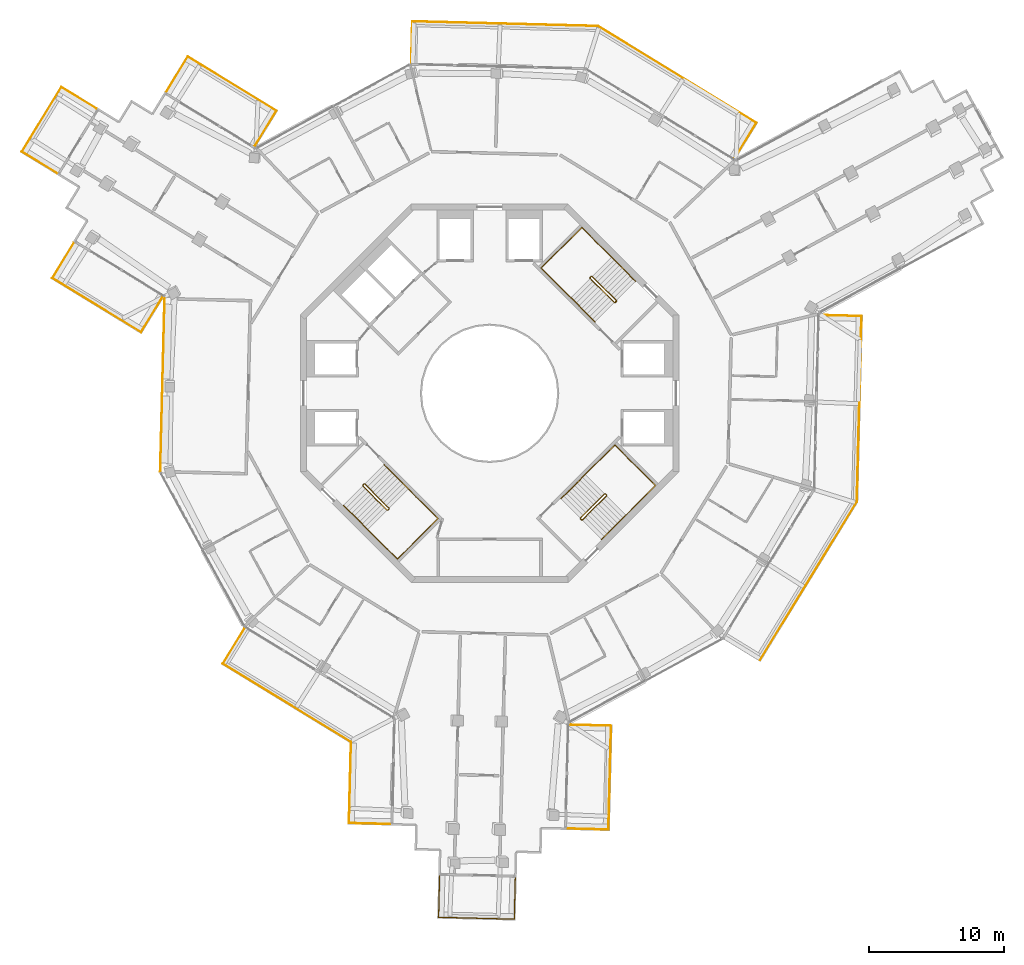
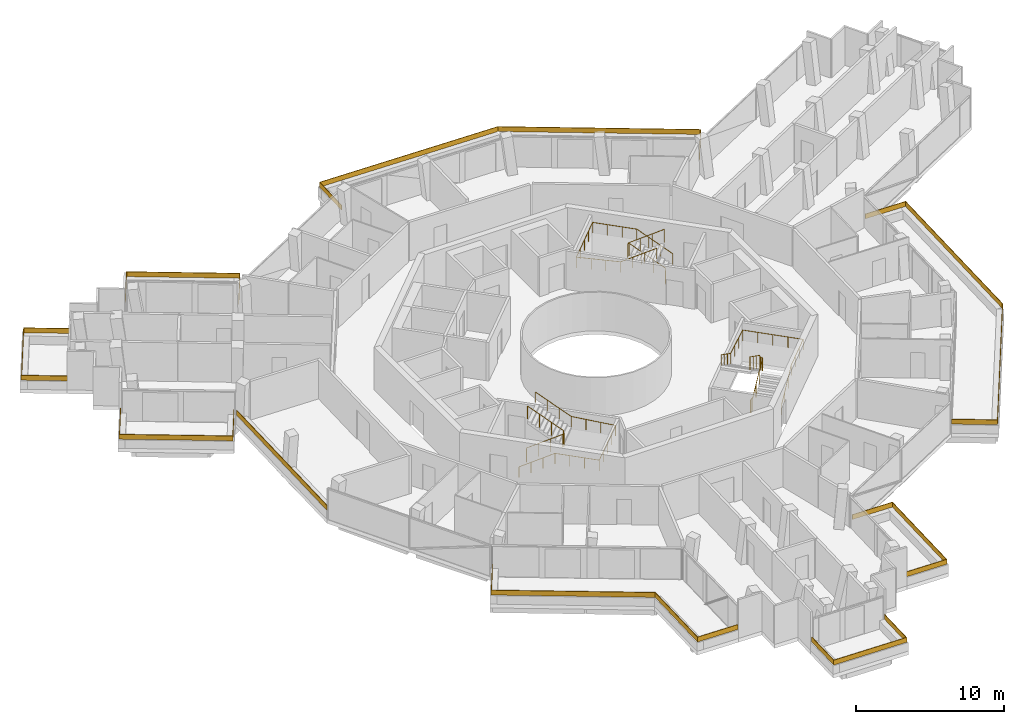
# One storey, part 24 of 24: 15 railings.
"""IFC4 building model written with IfcOpenShell, lengths in metres."""

from ifc_helpers import new_model, si_unit, direction, frame, origin, origin_2d, place, context, subcontext, project, spatial, polyline, rectangle, circle, outline, extrude, material, layer, layer_set, type_object, element, save


model = new_model("IFC4")

# Units and contexts
model_context = context("Model", 3, precision=1e-05, world=origin(), true_north=direction((0.0, 1.0)))
body_context = subcontext(model_context, "Body", "Model", "MODEL_VIEW")
ifc_project = project(units=[si_unit("LENGTHUNIT", "METRE"), si_unit("AREAUNIT", "SQUARE_METRE"), si_unit("VOLUMEUNIT", "CUBIC_METRE"), si_unit("PLANEANGLEUNIT", "RADIAN"), si_unit("MASSUNIT", "GRAM", prefix="KILO")], contexts=[model_context])

# Site, building, storey
site_placement = place(None, origin())
site = spatial("IfcSite", under=ifc_project, at=site_placement, CompositionType="ELEMENT")
building_placement = place(site_placement, origin())
building = spatial("IfcBuilding", under=site, at=building_placement, Name="Verdalira Terraces Hotel", CompositionType="ELEMENT")
storey_placement = place(building_placement, frame((0.0, 0.0, 274.0)))
storey = spatial("IfcBuildingStorey", under=building, at=storey_placement, Name="L67", CompositionType="ELEMENT", Elevation=274.0)

# Railings
ifc_material_1 = material(Name="Laminated glass", Category="glass")
ifc_layer = layer(ifc_material_1, 0.0400390625)
ifc_layer_set = layer_set([ifc_layer], Name="Balcony glass guard 400")
railing_type_1 = type_object("IfcRailingType", Name="Balcony glass guard 400", PredefinedType="GUARDRAIL", material=ifc_layer_set)
railing_1_placement = place(storey_placement, frame((0.0, 0.0, 0.699951)))
element("IfcRailing", 1, at=railing_1_placement, inside=storey, type_object=railing_type_1, Name="Balcony glass guard", PredefinedType="GUARDRAIL", context=body_context, shape_type="SweptSolid", body=[
    extrude(outline(polyline([(-31.671387, 22.621094), (-34.571533, 17.877441), (-31.94458, 16.27124), (-31.965576, 16.237305), (-34.626465, 17.864014), (-31.684814, 22.676025), (-29.023682, 21.049072), (-29.044434, 21.015137), (-31.671387, 22.621094)])), origin(), (0.0, 0.0, 1.0), 0.400146),
])
railing_2_placement = place(storey_placement, frame((0.0, 0.0, 0.699951)))
element("IfcRailing", 2, at=railing_2_placement, inside=storey, type_object=railing_type_1, Name="Balcony glass guard", PredefinedType="GUARDRAIL", context=body_context, shape_type="SweptSolid", body=[
    extrude(outline(polyline([(-32.316895, 8.528809), (-25.796143, 4.542236), (-24.190186, 7.169189), (-24.156006, 7.148438), (-25.782959, 4.487305), (-32.371826, 8.515381), (-30.744873, 11.176514), (-30.710693, 11.155762), (-32.316895, 8.528809)])), origin(), (0.0, 0.0, 1.0), 0.400146),
])
railing_3_placement = place(storey_placement, frame((0.0, 0.0, 0.699951)))
element("IfcRailing", 3, at=railing_3_placement, inside=storey, type_object=railing_type_1, Name="Balcony glass guard", PredefinedType="GUARDRAIL", context=body_context, shape_type="SweptSolid", body=[
    extrude(outline(polyline([(-19.703125, -19.996826), (-10.231201, -25.787598), (-10.381592, -31.77002), (-7.303711, -31.847412), (-7.304688, -31.887451), (-10.422607, -31.809082), (-10.271729, -25.80957), (-19.758057, -20.01001), (-18.131348, -17.349121), (-18.097168, -17.369873), (-19.703125, -19.996826)])), origin(), (0.0, 0.0, 1.0), 0.400146),
])
railing_4_placement = place(storey_placement, frame((0.0, 0.0, 0.699951)))
element("IfcRailing", 4, at=railing_4_placement, inside=storey, type_object=railing_type_1, Name="Balcony glass guard", PredefinedType="GUARDRAIL", context=body_context, shape_type="SweptSolid", body=[
    extrude(outline(polyline([(-3.754639, -38.73877), (1.803467, -38.878662), (1.880859, -35.800537), (1.920898, -35.801514), (1.842529, -38.919434), (-3.795654, -38.777832), (-3.717285, -35.659668), (-3.677246, -35.660889), (-3.754639, -38.73877)])), origin(), (0.0, 0.0, 1.0), 0.400146),
])
railing_5_placement = place(storey_placement, frame((0.0, 0.0, 0.699951)))
element("IfcRailing", 5, at=railing_5_placement, inside=storey, type_object=railing_type_1, Name="Balcony glass guard", PredefinedType="GUARDRAIL", context=body_context, shape_type="SweptSolid", body=[
    extrude(outline(polyline([(8.772217, -32.251465), (8.964355, -24.611328), (5.88623, -24.533936), (5.887207, -24.493896), (9.005371, -24.57251), (8.811279, -32.29248), (5.693359, -32.214111), (5.694336, -32.174316), (8.772217, -32.251465)])), origin(), (0.0, 0.0, 1.0), 0.400146),
])
railing_6_placement = place(storey_placement, frame((0.0, 0.0, 0.699951)))
element("IfcRailing", 6, at=railing_6_placement, inside=storey, type_object=railing_type_1, Name="Balcony glass guard", PredefinedType="GUARDRAIL", context=body_context, shape_type="SweptSolid", body=[
    extrude(outline(polyline([(19.996826, -19.703125), (27.145508, -8.01001), (27.48999, 5.690918), (24.412109, 5.768311), (24.413086, 5.80835), (27.531006, 5.72998), (27.185303, -8.021729), (20.01001, -19.758057), (17.349121, -18.131348), (17.369873, -18.097168), (19.996826, -19.703125)])), origin(), (0.0, 0.0, 1.0), 0.400146),
])
railing_7_placement = place(storey_placement, frame((0.0, 0.0, 0.699951)))
element("IfcRailing", 7, at=railing_7_placement, inside=storey, type_object=railing_type_1, Name="Balcony glass guard", PredefinedType="GUARDRAIL", context=body_context, shape_type="SweptSolid", body=[
    extrude(outline(polyline([(19.703125, 19.996826), (8.01001, 27.145508), (-5.690918, 27.48999), (-5.768311, 24.412109), (-5.80835, 24.413086), (-5.72998, 27.531006), (8.021729, 27.185303), (19.758057, 20.01001), (18.131348, 17.349121), (18.097168, 17.369873), (19.703125, 19.996826)])), origin(), (0.0, 0.0, 1.0), 0.400146),
])
railing_8_placement = place(storey_placement, frame((0.0, 0.0, 0.699951)))
element("IfcRailing", 8, at=railing_8_placement, inside=storey, type_object=railing_type_1, Name="Balcony glass guard", PredefinedType="GUARDRAIL", context=body_context, shape_type="SweptSolid", body=[
    extrude(outline(polyline([(-15.802246, 20.889404), (-22.322754, 24.875732), (-23.928955, 22.248779), (-23.963135, 22.269775), (-22.336182, 24.930908), (-15.747314, 20.902588), (-17.374268, 18.241455), (-17.408203, 18.262451), (-15.802246, 20.889404)])), origin(), (0.0, 0.0, 1.0), 0.400146),
])
railing_9_placement = place(storey_placement, frame((-24.200684, 0.608398, 0.699951), z_axis=(0.0, 0.0, 1.0), x_axis=(-0.025130095, -0.999684189, 0.0)))
element("IfcRailing", 9, at=railing_9_placement, inside=storey, type_object=railing_type_1, Name="Loggia glass guard", PredefinedType="GUARDRAIL", context=body_context, shape_type="SweptSolid", body=[
    extrude(rectangle(XDim=12.840088, YDim=0.040039, at=origin_2d()), origin(), (0.0, 0.0, 1.0), 0.399902),
])
ifc_material_2 = material(Name="Stainless steel", Category="steel")
railing_type_2 = type_object("IfcRailingType", Name="Stair guard 1100", PredefinedType="GUARDRAIL", material=ifc_material_2)
railing_10_placement = place(storey_placement, frame((9.369141, 6.78833, 0.0)))
element("IfcRailing", 10, at=railing_10_placement, inside=storey, type_object=railing_type_2, Name="L67 ST1 stair guard 1", PredefinedType="GUARDRAIL", context=body_context, shape_type="SweptSolid", body=[
    extrude(circle(Radius=0.023926, at=origin_2d()), frame((0.0, 0.0, 1.076172), z_axis=(-0.707106781, -0.707106781, 0.0), x_axis=(0.707106781, -0.707106781, 0.0)), (0.0, 0.0, 1.0), 0.100098),
    extrude(circle(Radius=0.023926, at=origin_2d()), frame((-0.070801, -0.070801, 1.076172), z_axis=(0.300162975, 0.599290904, 0.742127078), x_axis=(-0.894118129, 0.447831187, 0.0)), (0.0, 0.0, 1.0), 0.23584),
    extrude(circle(Radius=0.023926, at=origin_2d()), frame((0.0, 0.070557, 1.250977), z_axis=(-0.599637504, 0.599637504, 0.52997144), x_axis=(-0.707106781, -0.707106781, 0.0)), (0.0, 0.0, 1.0), 2.97168),
    extrude(circle(Radius=0.023926, at=origin_2d()), frame((-1.781982, 1.852539, 2.826172), z_axis=(-1.0, 0.0, 0.0), x_axis=(0.0, -1.0, 0.0)), (0.0, 0.0, 1.0), 0.070557),
    extrude(circle(Radius=0.023926, at=origin_2d()), frame((-1.852539, 1.852539, 2.826172), z_axis=(-0.707106781, -0.707106781, 0.0), x_axis=(0.707106781, -0.707106781, 0.0)), (0.0, 0.0, 1.0), 0.100098),
    extrude(circle(Radius=0.023926, at=origin_2d()), frame((-1.92334, 1.781738, 2.826172), z_axis=(0.0, -0.373842709, 0.927492118), x_axis=(1.0, 0.0, 0.0)), (0.0, 0.0, 1.0), 0.188721),
    extrude(circle(Radius=0.023926, at=origin_2d()), frame((-1.92334, 1.711182, 3.000977), z_axis=(0.599637504, -0.599637504, 0.52997144), x_axis=(0.707106781, 0.707106781, 0.0)), (0.0, 0.0, 1.0), 2.97168),
    extrude(circle(Radius=0.020996, at=origin_2d()), origin(), (0.0, 0.0, 1.0), 1.052002),
    extrude(circle(Radius=0.020996, at=origin_2d()), frame((-0.070801, -0.070801, 0.0)), (0.0, 0.0, 1.0), 1.052002),
    extrude(circle(Radius=0.020996, at=origin_2d()), frame((0.0, 0.070557, 0.175049)), (0.0, 0.0, 1.0), 1.052002),
    extrude(circle(Radius=0.020996, at=origin_2d()), frame((-0.593994, 0.664551, 0.699951)), (0.0, 0.0, 1.0), 1.052002),
    extrude(circle(Radius=0.020996, at=origin_2d()), frame((-1.187988, 1.258545, 1.225098)), (0.0, 0.0, 1.0), 1.052002),
    extrude(circle(Radius=0.020996, at=origin_2d()), frame((-1.781982, 1.852539, 1.75)), (0.0, 0.0, 1.0), 1.052002),
    extrude(circle(Radius=0.020996, at=origin_2d()), frame((-1.852539, 1.852539, 1.75)), (0.0, 0.0, 1.0), 1.052002),
    extrude(circle(Radius=0.020996, at=origin_2d()), frame((-1.92334, 1.781738, 1.75)), (0.0, 0.0, 1.0), 1.052002),
    extrude(circle(Radius=0.020996, at=origin_2d()), frame((-1.92334, 1.711182, 1.925049)), (0.0, 0.0, 1.0), 1.052002),
    extrude(circle(Radius=0.020996, at=origin_2d()), frame((-1.329346, 1.117188, 2.449951)), (0.0, 0.0, 1.0), 1.052002),
    extrude(circle(Radius=0.020996, at=origin_2d()), frame((-0.735352, 0.523193, 2.975098)), (0.0, 0.0, 1.0), 1.052002),
    extrude(circle(Radius=0.020996, at=origin_2d()), frame((-0.141357, -0.070801, 3.5)), (0.0, 0.0, 1.0), 1.052002),
])
railing_11_placement = place(storey_placement, frame((-9.369141, -6.78833, 0.0)))
element("IfcRailing", 11, at=railing_11_placement, inside=storey, type_object=railing_type_2, Name="L67 ST2 stair guard 1", PredefinedType="GUARDRAIL", context=body_context, shape_type="SweptSolid", body=[
    extrude(circle(Radius=0.023926, at=origin_2d()), frame((0.0, 0.0, 1.076172), z_axis=(0.707106781, 0.707106781, 0.0), x_axis=(-0.707106781, 0.707106781, 0.0)), (0.0, 0.0, 1.0), 0.100098),
    extrude(circle(Radius=0.023926, at=origin_2d()), frame((0.070801, 0.070801, 1.076172), z_axis=(-0.300162975, -0.599290904, 0.742127078), x_axis=(0.894118129, -0.447831187, 0.0)), (0.0, 0.0, 1.0), 0.23584),
    extrude(circle(Radius=0.023926, at=origin_2d()), frame((0.0, -0.070557, 1.250977), z_axis=(0.599637504, -0.599637504, 0.52997144), x_axis=(0.707106781, 0.707106781, 0.0)), (0.0, 0.0, 1.0), 2.97168),
    extrude(circle(Radius=0.023926, at=origin_2d()), frame((1.781982, -1.852539, 2.826172), z_axis=(1.0, 0.0, 0.0), x_axis=(0.0, 1.0, 0.0)), (0.0, 0.0, 1.0), 0.070557),
    extrude(circle(Radius=0.023926, at=origin_2d()), frame((1.852539, -1.852539, 2.826172), z_axis=(0.707106781, 0.707106781, 0.0), x_axis=(-0.707106781, 0.707106781, 0.0)), (0.0, 0.0, 1.0), 0.100098),
    extrude(circle(Radius=0.023926, at=origin_2d()), frame((1.92334, -1.781738, 2.826172), z_axis=(0.0, 0.373842709, 0.927492118), x_axis=(-1.0, 0.0, 0.0)), (0.0, 0.0, 1.0), 0.188721),
    extrude(circle(Radius=0.023926, at=origin_2d()), frame((1.92334, -1.711182, 3.000977), z_axis=(-0.599637504, 0.599637504, 0.52997144), x_axis=(-0.707106781, -0.707106781, 0.0)), (0.0, 0.0, 1.0), 2.97168),
    extrude(circle(Radius=0.020996, at=origin_2d()), origin(), (0.0, 0.0, 1.0), 1.052002),
    extrude(circle(Radius=0.020996, at=origin_2d()), frame((0.070801, 0.070801, 0.0)), (0.0, 0.0, 1.0), 1.052002),
    extrude(circle(Radius=0.020996, at=origin_2d()), frame((0.0, -0.070557, 0.175049)), (0.0, 0.0, 1.0), 1.052002),
    extrude(circle(Radius=0.020996, at=origin_2d()), frame((0.593994, -0.664551, 0.699951)), (0.0, 0.0, 1.0), 1.052002),
    extrude(circle(Radius=0.020996, at=origin_2d()), frame((1.187988, -1.258545, 1.225098)), (0.0, 0.0, 1.0), 1.052002),
    extrude(circle(Radius=0.020996, at=origin_2d()), frame((1.781982, -1.852539, 1.75)), (0.0, 0.0, 1.0), 1.052002),
    extrude(circle(Radius=0.020996, at=origin_2d()), frame((1.852539, -1.852539, 1.75)), (0.0, 0.0, 1.0), 1.052002),
    extrude(circle(Radius=0.020996, at=origin_2d()), frame((1.92334, -1.781738, 1.75)), (0.0, 0.0, 1.0), 1.052002),
    extrude(circle(Radius=0.020996, at=origin_2d()), frame((1.92334, -1.711182, 1.925049)), (0.0, 0.0, 1.0), 1.052002),
    extrude(circle(Radius=0.020996, at=origin_2d()), frame((1.329346, -1.117188, 2.449951)), (0.0, 0.0, 1.0), 1.052002),
    extrude(circle(Radius=0.020996, at=origin_2d()), frame((0.735352, -0.523193, 2.975098)), (0.0, 0.0, 1.0), 1.052002),
    extrude(circle(Radius=0.020996, at=origin_2d()), frame((0.141357, 0.070801, 3.5)), (0.0, 0.0, 1.0), 1.052002),
])
railing_12_placement = place(storey_placement, frame((6.78833, -9.369141, 0.0)))
element("IfcRailing", 12, at=railing_12_placement, inside=storey, type_object=railing_type_2, Name="L67 ST3 stair guard 1", PredefinedType="GUARDRAIL", context=body_context, shape_type="SweptSolid", body=[
    extrude(circle(Radius=0.023926, at=origin_2d()), frame((0.0, 0.0, 1.076172), z_axis=(-0.707106781, 0.707106781, 0.0), x_axis=(-0.707106781, -0.707106781, 0.0)), (0.0, 0.0, 1.0), 0.100098),
    extrude(circle(Radius=0.023926, at=origin_2d()), frame((-0.070801, 0.070801, 1.076172), z_axis=(0.599290904, -0.300162975, 0.742127078), x_axis=(0.447831187, 0.894118129, 0.0)), (0.0, 0.0, 1.0), 0.23584),
    extrude(circle(Radius=0.023926, at=origin_2d()), frame((0.070557, 0.0, 1.250977), z_axis=(0.599637504, 0.599637504, 0.52997144), x_axis=(-0.707106781, 0.707106781, 0.0)), (0.0, 0.0, 1.0), 2.97168),
    extrude(circle(Radius=0.023926, at=origin_2d()), frame((1.852539, 1.781982, 2.826172), z_axis=(0.0, 1.0, 0.0), x_axis=(-1.0, 0.0, 0.0)), (0.0, 0.0, 1.0), 0.070557),
    extrude(circle(Radius=0.023926, at=origin_2d()), frame((1.852539, 1.852539, 2.826172), z_axis=(-0.707106781, 0.707106781, 0.0), x_axis=(-0.707106781, -0.707106781, 0.0)), (0.0, 0.0, 1.0), 0.100098),
    extrude(circle(Radius=0.023926, at=origin_2d()), frame((1.781738, 1.92334, 2.826172), z_axis=(-0.373842709, 0.0, 0.927492118), x_axis=(0.0, -1.0, 0.0)), (0.0, 0.0, 1.0), 0.188721),
    extrude(circle(Radius=0.023926, at=origin_2d()), frame((1.711182, 1.92334, 3.000977), z_axis=(-0.599637504, -0.599637504, 0.52997144), x_axis=(0.707106781, -0.707106781, 0.0)), (0.0, 0.0, 1.0), 2.97168),
    extrude(circle(Radius=0.020996, at=origin_2d()), origin(), (0.0, 0.0, 1.0), 1.052002),
    extrude(circle(Radius=0.020996, at=origin_2d()), frame((-0.070801, 0.070801, 0.0)), (0.0, 0.0, 1.0), 1.052002),
    extrude(circle(Radius=0.020996, at=origin_2d()), frame((0.070557, 0.0, 0.175049)), (0.0, 0.0, 1.0), 1.052002),
    extrude(circle(Radius=0.020996, at=origin_2d()), frame((0.664551, 0.593994, 0.699951)), (0.0, 0.0, 1.0), 1.052002),
    extrude(circle(Radius=0.020996, at=origin_2d()), frame((1.258545, 1.187988, 1.225098)), (0.0, 0.0, 1.0), 1.052002),
    extrude(circle(Radius=0.020996, at=origin_2d()), frame((1.852539, 1.781982, 1.75)), (0.0, 0.0, 1.0), 1.052002),
    extrude(circle(Radius=0.020996, at=origin_2d()), frame((1.852539, 1.852539, 1.75)), (0.0, 0.0, 1.0), 1.052002),
    extrude(circle(Radius=0.020996, at=origin_2d()), frame((1.781738, 1.92334, 1.75)), (0.0, 0.0, 1.0), 1.052002),
    extrude(circle(Radius=0.020996, at=origin_2d()), frame((1.711182, 1.92334, 1.925049)), (0.0, 0.0, 1.0), 1.052002),
    extrude(circle(Radius=0.020996, at=origin_2d()), frame((1.117188, 1.329346, 2.449951)), (0.0, 0.0, 1.0), 1.052002),
    extrude(circle(Radius=0.020996, at=origin_2d()), frame((0.523193, 0.735352, 2.975098)), (0.0, 0.0, 1.0), 1.052002),
    extrude(circle(Radius=0.020996, at=origin_2d()), frame((-0.070801, 0.141357, 3.5)), (0.0, 0.0, 1.0), 1.052002),
])
ifc_material_3 = material(Name="Stainless steel", Category="steel")
railing_type_3 = type_object("IfcRailingType", Name="Stair handrail 900", PredefinedType="HANDRAIL", material=ifc_material_3)
railing_13_placement = place(storey_placement, frame((10.801025, 8.290771, 0.175049)))
element("IfcRailing", 13, at=railing_13_placement, inside=storey, type_object=railing_type_3, Name="L67 ST1 stair handrail 1", PredefinedType="HANDRAIL", context=body_context, shape_type="SweptSolid", body=[
    extrude(circle(Radius=0.023926, at=origin_2d()), frame((0.0, 0.0, 0.875977), z_axis=(-0.599637504, 0.599637504, 0.52997144), x_axis=(-0.707106781, -0.707106781, 0.0)), (0.0, 0.0, 1.0), 2.97168),
    extrude(circle(Radius=0.023926, at=origin_2d()), frame((-1.781982, 1.781982, 2.450684), z_axis=(-0.707106781, 0.707106781, 0.0), x_axis=(-0.707106781, -0.707106781, 0.0)), (0.0, 0.0, 1.0), 3.10498),
    extrude(circle(Radius=0.023926, at=origin_2d()), frame((-3.977539, 3.977539, 2.450684), z_axis=(-0.707106781, -0.707106781, 0.0), x_axis=(0.707106781, -0.707106781, 0.0)), (0.0, 0.0, 1.0), 4.25),
    extrude(circle(Radius=0.023926, at=origin_2d()), frame((-6.982666, 0.972412, 2.450684), z_axis=(0.705985743, -0.705985743, 0.05628731), x_axis=(0.707106781, 0.707106781, 0.0)), (0.0, 0.0, 1.0), 3.109863),
    extrude(circle(Radius=0.023926, at=origin_2d()), frame((-4.787109, -1.223145, 2.625977), z_axis=(0.599637504, -0.599637504, 0.52997144), x_axis=(0.707106781, 0.707106781, 0.0)), (0.0, 0.0, 1.0), 2.97168),
    extrude(circle(Radius=0.020996, at=origin_2d()), origin(), (0.0, 0.0, 1.0), 0.851807),
    extrude(circle(Radius=0.020996, at=origin_2d()), frame((-0.593994, 0.593994, 0.524902)), (0.0, 0.0, 1.0), 0.851807),
    extrude(circle(Radius=0.020996, at=origin_2d()), frame((-1.187988, 1.187988, 1.050049)), (0.0, 0.0, 1.0), 0.851807),
    extrude(circle(Radius=0.020996, at=origin_2d()), frame((-1.781982, 1.781982, 1.574951)), (0.0, 0.0, 1.0), 0.851807),
    extrude(circle(Radius=0.020996, at=origin_2d()), frame((-2.513916, 2.513916, 1.574951)), (0.0, 0.0, 1.0), 0.851807),
    extrude(circle(Radius=0.020996, at=origin_2d()), frame((-3.245605, 3.245605, 1.574951)), (0.0, 0.0, 1.0), 0.851807),
    extrude(circle(Radius=0.020996, at=origin_2d()), frame((-3.977539, 3.977539, 1.574951)), (0.0, 0.0, 1.0), 0.851807),
    extrude(circle(Radius=0.020996, at=origin_2d()), frame((-4.72876, 3.226318, 1.574951)), (0.0, 0.0, 1.0), 0.851807),
    extrude(circle(Radius=0.020996, at=origin_2d()), frame((-5.47998, 2.475098, 1.574951)), (0.0, 0.0, 1.0), 0.851807),
    extrude(circle(Radius=0.020996, at=origin_2d()), frame((-6.231445, 1.723633, 1.574951)), (0.0, 0.0, 1.0), 0.851807),
    extrude(circle(Radius=0.020996, at=origin_2d()), frame((-6.982666, 0.972412, 1.574951)), (0.0, 0.0, 1.0), 0.851807),
    extrude(circle(Radius=0.020996, at=origin_2d()), frame((-6.250732, 0.240479, 1.633301)), (0.0, 0.0, 1.0), 0.851807),
    extrude(circle(Radius=0.020996, at=origin_2d()), frame((-5.519043, -0.491211, 1.69165)), (0.0, 0.0, 1.0), 0.851807),
    extrude(circle(Radius=0.020996, at=origin_2d()), frame((-4.787109, -1.223145, 1.75)), (0.0, 0.0, 1.0), 0.851807),
    extrude(circle(Radius=0.020996, at=origin_2d()), frame((-4.193115, -1.817139, 2.274902)), (0.0, 0.0, 1.0), 0.851807),
    extrude(circle(Radius=0.020996, at=origin_2d()), frame((-3.599121, -2.411133, 2.800049)), (0.0, 0.0, 1.0), 0.851807),
    extrude(circle(Radius=0.020996, at=origin_2d()), frame((-3.005127, -3.005127, 3.324951)), (0.0, 0.0, 1.0), 0.851807),
])
railing_14_placement = place(storey_placement, frame((-10.801025, -8.290771, 0.175049)))
element("IfcRailing", 14, at=railing_14_placement, inside=storey, type_object=railing_type_3, Name="L67 ST2 stair handrail 1", PredefinedType="HANDRAIL", context=body_context, shape_type="SweptSolid", body=[
    extrude(circle(Radius=0.023926, at=origin_2d()), frame((0.0, 0.0, 0.875977), z_axis=(0.599637504, -0.599637504, 0.52997144), x_axis=(0.707106781, 0.707106781, 0.0)), (0.0, 0.0, 1.0), 2.97168),
    extrude(circle(Radius=0.023926, at=origin_2d()), frame((1.781982, -1.781982, 2.450684), z_axis=(0.707106781, -0.707106781, 0.0), x_axis=(0.707106781, 0.707106781, 0.0)), (0.0, 0.0, 1.0), 3.10498),
    extrude(circle(Radius=0.023926, at=origin_2d()), frame((3.977539, -3.977539, 2.450684), z_axis=(0.707106781, 0.707106781, 0.0), x_axis=(-0.707106781, 0.707106781, 0.0)), (0.0, 0.0, 1.0), 4.25),
    extrude(circle(Radius=0.023926, at=origin_2d()), frame((6.982666, -0.972412, 2.450684), z_axis=(-0.705985743, 0.705985743, 0.05628731), x_axis=(-0.707106781, -0.707106781, 0.0)), (0.0, 0.0, 1.0), 3.109863),
    extrude(circle(Radius=0.023926, at=origin_2d()), frame((4.787109, 1.223145, 2.625977), z_axis=(-0.599637504, 0.599637504, 0.52997144), x_axis=(-0.707106781, -0.707106781, 0.0)), (0.0, 0.0, 1.0), 2.97168),
    extrude(circle(Radius=0.020996, at=origin_2d()), origin(), (0.0, 0.0, 1.0), 0.851807),
    extrude(circle(Radius=0.020996, at=origin_2d()), frame((0.593994, -0.593994, 0.524902)), (0.0, 0.0, 1.0), 0.851807),
    extrude(circle(Radius=0.020996, at=origin_2d()), frame((1.187988, -1.187988, 1.050049)), (0.0, 0.0, 1.0), 0.851807),
    extrude(circle(Radius=0.020996, at=origin_2d()), frame((1.781982, -1.781982, 1.574951)), (0.0, 0.0, 1.0), 0.851807),
    extrude(circle(Radius=0.020996, at=origin_2d()), frame((2.513916, -2.513916, 1.574951)), (0.0, 0.0, 1.0), 0.851807),
    extrude(circle(Radius=0.020996, at=origin_2d()), frame((3.245605, -3.245605, 1.574951)), (0.0, 0.0, 1.0), 0.851807),
    extrude(circle(Radius=0.020996, at=origin_2d()), frame((3.977539, -3.977539, 1.574951)), (0.0, 0.0, 1.0), 0.851807),
    extrude(circle(Radius=0.020996, at=origin_2d()), frame((4.72876, -3.226318, 1.574951)), (0.0, 0.0, 1.0), 0.851807),
    extrude(circle(Radius=0.020996, at=origin_2d()), frame((5.47998, -2.475098, 1.574951)), (0.0, 0.0, 1.0), 0.851807),
    extrude(circle(Radius=0.020996, at=origin_2d()), frame((6.231445, -1.723633, 1.574951)), (0.0, 0.0, 1.0), 0.851807),
    extrude(circle(Radius=0.020996, at=origin_2d()), frame((6.982666, -0.972412, 1.574951)), (0.0, 0.0, 1.0), 0.851807),
    extrude(circle(Radius=0.020996, at=origin_2d()), frame((6.250732, -0.240479, 1.633301)), (0.0, 0.0, 1.0), 0.851807),
    extrude(circle(Radius=0.020996, at=origin_2d()), frame((5.519043, 0.491211, 1.69165)), (0.0, 0.0, 1.0), 0.851807),
    extrude(circle(Radius=0.020996, at=origin_2d()), frame((4.787109, 1.223145, 1.75)), (0.0, 0.0, 1.0), 0.851807),
    extrude(circle(Radius=0.020996, at=origin_2d()), frame((4.193115, 1.817139, 2.274902)), (0.0, 0.0, 1.0), 0.851807),
    extrude(circle(Radius=0.020996, at=origin_2d()), frame((3.599121, 2.411133, 2.800049)), (0.0, 0.0, 1.0), 0.851807),
    extrude(circle(Radius=0.020996, at=origin_2d()), frame((3.005127, 3.005127, 3.324951)), (0.0, 0.0, 1.0), 0.851807),
])
railing_15_placement = place(storey_placement, frame((8.290771, -10.801025, 0.175049)))
element("IfcRailing", 15, at=railing_15_placement, inside=storey, type_object=railing_type_3, Name="L67 ST3 stair handrail 1", PredefinedType="HANDRAIL", context=body_context, shape_type="SweptSolid", body=[
    extrude(circle(Radius=0.023926, at=origin_2d()), frame((0.0, 0.0, 0.875977), z_axis=(0.599637504, 0.599637504, 0.52997144), x_axis=(-0.707106781, 0.707106781, 0.0)), (0.0, 0.0, 1.0), 2.97168),
    extrude(circle(Radius=0.023926, at=origin_2d()), frame((1.781982, 1.781982, 2.450684), z_axis=(0.707106781, 0.707106781, 0.0), x_axis=(-0.707106781, 0.707106781, 0.0)), (0.0, 0.0, 1.0), 3.10498),
    extrude(circle(Radius=0.023926, at=origin_2d()), frame((3.977539, 3.977539, 2.450684), z_axis=(-0.707106781, 0.707106781, 0.0), x_axis=(-0.707106781, -0.707106781, 0.0)), (0.0, 0.0, 1.0), 4.25),
    extrude(circle(Radius=0.023926, at=origin_2d()), frame((0.972412, 6.982666, 2.450684), z_axis=(-0.705985743, -0.705985743, 0.05628731), x_axis=(0.707106781, -0.707106781, 0.0)), (0.0, 0.0, 1.0), 3.109863),
    extrude(circle(Radius=0.023926, at=origin_2d()), frame((-1.223145, 4.787109, 2.625977), z_axis=(-0.599637504, -0.599637504, 0.52997144), x_axis=(0.707106781, -0.707106781, 0.0)), (0.0, 0.0, 1.0), 2.97168),
    extrude(circle(Radius=0.020996, at=origin_2d()), origin(), (0.0, 0.0, 1.0), 0.851807),
    extrude(circle(Radius=0.020996, at=origin_2d()), frame((0.593994, 0.593994, 0.524902)), (0.0, 0.0, 1.0), 0.851807),
    extrude(circle(Radius=0.020996, at=origin_2d()), frame((1.187988, 1.187988, 1.050049)), (0.0, 0.0, 1.0), 0.851807),
    extrude(circle(Radius=0.020996, at=origin_2d()), frame((1.781982, 1.781982, 1.574951)), (0.0, 0.0, 1.0), 0.851807),
    extrude(circle(Radius=0.020996, at=origin_2d()), frame((2.513916, 2.513916, 1.574951)), (0.0, 0.0, 1.0), 0.851807),
    extrude(circle(Radius=0.020996, at=origin_2d()), frame((3.245605, 3.245605, 1.574951)), (0.0, 0.0, 1.0), 0.851807),
    extrude(circle(Radius=0.020996, at=origin_2d()), frame((3.977539, 3.977539, 1.574951)), (0.0, 0.0, 1.0), 0.851807),
    extrude(circle(Radius=0.020996, at=origin_2d()), frame((3.226318, 4.72876, 1.574951)), (0.0, 0.0, 1.0), 0.851807),
    extrude(circle(Radius=0.020996, at=origin_2d()), frame((2.475098, 5.47998, 1.574951)), (0.0, 0.0, 1.0), 0.851807),
    extrude(circle(Radius=0.020996, at=origin_2d()), frame((1.723633, 6.231445, 1.574951)), (0.0, 0.0, 1.0), 0.851807),
    extrude(circle(Radius=0.020996, at=origin_2d()), frame((0.972412, 6.982666, 1.574951)), (0.0, 0.0, 1.0), 0.851807),
    extrude(circle(Radius=0.020996, at=origin_2d()), frame((0.240479, 6.250732, 1.633301)), (0.0, 0.0, 1.0), 0.851807),
    extrude(circle(Radius=0.020996, at=origin_2d()), frame((-0.491211, 5.519043, 1.69165)), (0.0, 0.0, 1.0), 0.851807),
    extrude(circle(Radius=0.020996, at=origin_2d()), frame((-1.223145, 4.787109, 1.75)), (0.0, 0.0, 1.0), 0.851807),
    extrude(circle(Radius=0.020996, at=origin_2d()), frame((-1.817139, 4.193115, 2.274902)), (0.0, 0.0, 1.0), 0.851807),
    extrude(circle(Radius=0.020996, at=origin_2d()), frame((-2.411133, 3.599121, 2.800049)), (0.0, 0.0, 1.0), 0.851807),
    extrude(circle(Radius=0.020996, at=origin_2d()), frame((-3.005127, 3.005127, 3.324951)), (0.0, 0.0, 1.0), 0.851807),
])

save(model, "model.ifc")
